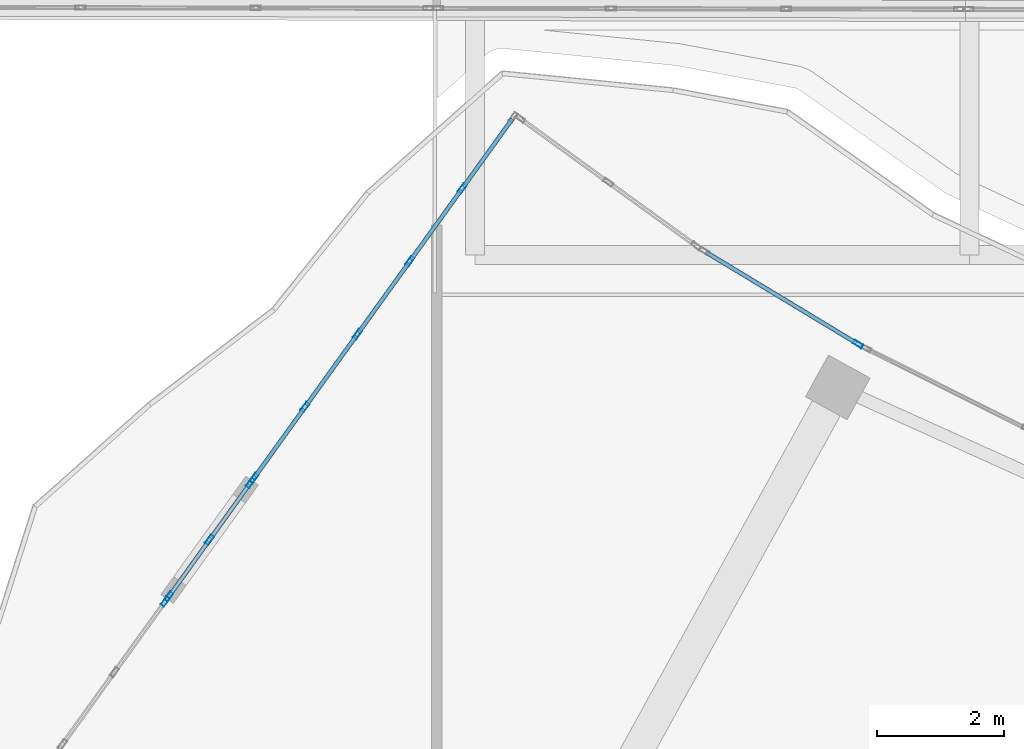
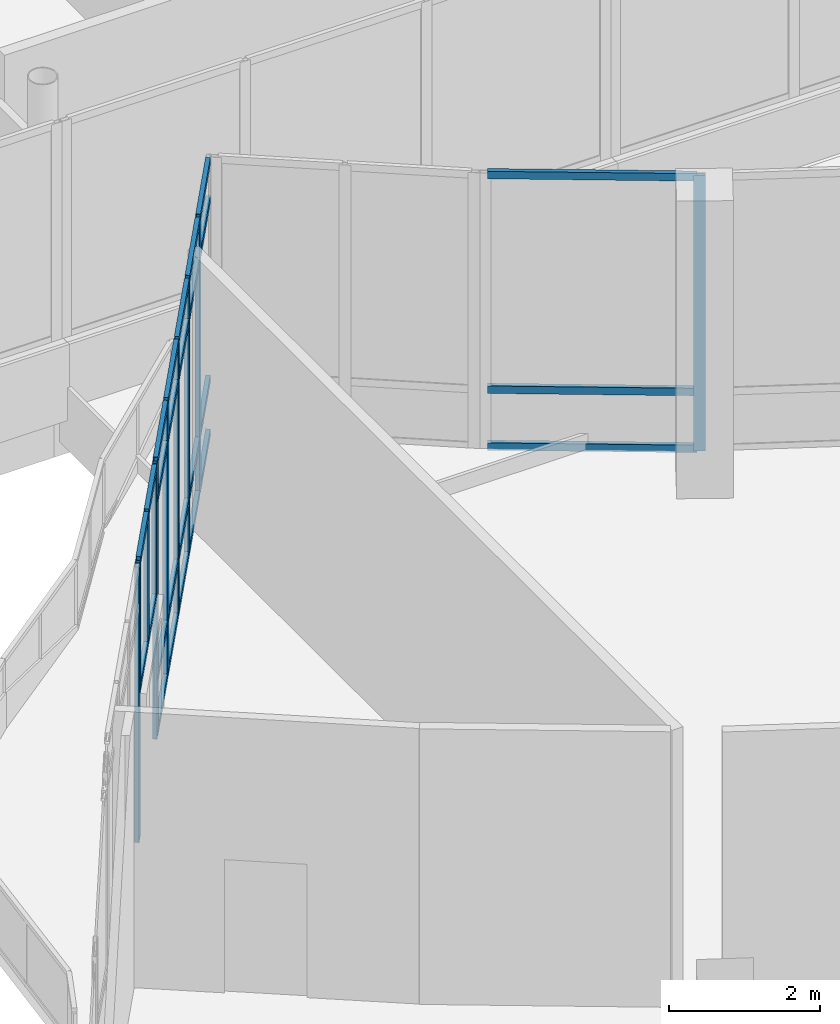
# One storey, part 26 of 168: 37 members, 4 elements without a shape of their own.
"""IFC4 building model written with IfcOpenShell, lengths in metres."""

from ifc_helpers import new_model, si_unit, direction, frame, origin, origin_2d, place, context, subcontext, project, spatial, hollow_rectangle, extrude, material, material_profile, profile_set, type_object, element, aggregate, save


model = new_model("IFC4")

# Units and contexts
model_context = context("Model", 3, precision=1e-05, world=origin(), true_north=direction((0.0, 1.0)))
body_context = subcontext(model_context, "Body", "Model", "MODEL_VIEW")
ifc_project = project(units=[si_unit("LENGTHUNIT", "METRE"), si_unit("AREAUNIT", "SQUARE_METRE"), si_unit("VOLUMEUNIT", "CUBIC_METRE"), si_unit("PLANEANGLEUNIT", "RADIAN"), si_unit("MASSUNIT", "GRAM", prefix="KILO")], contexts=[model_context])

# Site, building, storey
site_placement = place(None, origin())
site = spatial("IfcSite", under=ifc_project, at=site_placement, CompositionType="ELEMENT")
building_placement = place(site_placement, origin())
building = spatial("IfcBuilding", under=site, at=building_placement, Name="Selatvlak General Hospital", CompositionType="ELEMENT")
storey_placement = place(building_placement, frame((0.0, 0.0, 5.39990234375)))
storey = spatial("IfcBuildingStorey", under=building, at=storey_placement, Name="L01", CompositionType="ELEMENT", Elevation=5.39990234375)

# Curtain wall, members
ifc_material_1 = material(Name="Solar-control Low-E double glazing", Category="glass")
curtain_wall_type_1 = type_object("IfcCurtainWallType", Name="CW-CW-02", PredefinedType="USERDEFINED", material=ifc_material_1)
curtain_wall_1_placement = place(storey_placement, origin())
curtain_wall_1 = element("IfcCurtainWall", 1, at=curtain_wall_1_placement, inside=storey, type_object=curtain_wall_type_1, Name="Glazed facade curtain wall CW-L01-0187", ObjectType="UNITISED CURTAIN WALL", PredefinedType="USERDEFINED")
ifc_material_2 = material(Name="Dark anodised aluminium mullion", Category="aluminium")
ifc_material_profile_1 = material_profile(ifc_material_2, hollow_rectangle(XDim=0.06494140625, YDim=0.159912109375, WallThickness=0.00390625, at=origin_2d()), Name="AL-MUL 65x160x4")
ifc_profile_set_1 = profile_set([ifc_material_profile_1], Name="Dark anodised aluminium mullion")
member_type_1 = type_object("IfcMemberType", Name="CWM-01", PredefinedType="MULLION", material=ifc_profile_set_1)
member_1_placement = place(storey_placement, frame((26.974853515625, 42.71044921875, 2.320068359375), z_axis=(0.0, 0.0, 1.0), x_axis=(-0.812302328602, 0.583236596029, 0.0)))
member_1 = element("IfcMember", 2, at=member_1_placement, type_object=member_type_1, Name="CW-02 mullion 1", PredefinedType="MULLION", context=body_context, shape_type="SweptSolid", body=[
    extrude(hollow_rectangle(XDim=0.06494140625, YDim=0.159912109375, WallThickness=0.00390625, at=origin_2d()), origin(), (0.0, 0.0, 1.0), 2.125),
])
member_2_placement = place(storey_placement, frame((27.617919921875, 43.60595703125, 2.320068359375), z_axis=(0.0, 0.0, 1.0), x_axis=(-0.812302328602, 0.583236596029, 0.0)))
member_2 = element("IfcMember", 3, at=member_2_placement, type_object=member_type_1, Name="CW-02 mullion 2", PredefinedType="MULLION", context=body_context, shape_type="SweptSolid", body=[
    extrude(hollow_rectangle(XDim=0.06494140625, YDim=0.159912109375, WallThickness=0.00390625, at=origin_2d()), origin(), (0.0, 0.0, 1.0), 2.125),
])
member_3_placement = place(storey_placement, frame((28.260986328125, 44.501708984375, 2.320068359375), z_axis=(0.0, 0.0, 1.0), x_axis=(-0.812302328602, 0.583236596029, 0.0)))
member_3 = element("IfcMember", 4, at=member_3_placement, type_object=member_type_1, Name="CW-02 mullion 3", PredefinedType="MULLION", context=body_context, shape_type="SweptSolid", body=[
    extrude(hollow_rectangle(XDim=0.06494140625, YDim=0.159912109375, WallThickness=0.00390625, at=origin_2d()), origin(), (0.0, 0.0, 1.0), 2.125),
])

# Curtain wall, member
curtain_wall_type_2 = type_object("IfcCurtainWallType", Name="CW-CW-01", PredefinedType="USERDEFINED", material=ifc_material_1)
curtain_wall_2_placement = place(storey_placement, origin())
curtain_wall_2 = element("IfcCurtainWall", 5, at=curtain_wall_2_placement, inside=storey, type_object=curtain_wall_type_2, Name="Glazed facade curtain wall CW-L01-0188", ObjectType="UNITISED CURTAIN WALL", PredefinedType="USERDEFINED")
member_4_placement = place(storey_placement, frame((26.9189453125, 42.633544921875, 0.0), z_axis=(0.0, 0.0, 1.0), x_axis=(-0.81180439095, 0.583929474196, 0.0)))
member_4 = element("IfcMember", 6, at=member_4_placement, type_object=member_type_1, Name="CW-01 mullion 6", PredefinedType="MULLION", context=body_context, shape_type="SweptSolid", body=[
    extrude(hollow_rectangle(XDim=0.06494140625, YDim=0.159912109375, WallThickness=0.00390625, at=origin_2d()), origin(), (0.0, 0.0, 1.0), 4.445068359375),
])
aggregate(curtain_wall_2, [member_4])

# Curtain wall, members
curtain_wall_3_placement = place(storey_placement, origin())
curtain_wall_3 = element("IfcCurtainWall", 7, at=curtain_wall_3_placement, inside=storey, type_object=curtain_wall_type_2, Name="Glazed facade curtain wall CW-L01-0189", ObjectType="UNITISED CURTAIN WALL", PredefinedType="USERDEFINED")
member_5_placement = place(storey_placement, frame((28.31689453125, 44.578369140625, 0.0), z_axis=(0.0, 0.0, 1.0), x_axis=(-0.811837318502, 0.583883694145, 0.0)))
member_5 = element("IfcMember", 8, at=member_5_placement, type_object=member_type_1, Name="CW-01 mullion 1", PredefinedType="MULLION", context=body_context, shape_type="SweptSolid", body=[
    extrude(hollow_rectangle(XDim=0.06494140625, YDim=0.159912109375, WallThickness=0.00390625, at=origin_2d()), origin(), (0.0, 0.0, 1.0), 4.445068359375),
])
member_6_placement = place(storey_placement, frame((29.123779296875, 45.7001953125, 0.0), z_axis=(0.0, 0.0, 1.0), x_axis=(-0.811837318502, 0.583883694145, 0.0)))
member_6 = element("IfcMember", 9, at=member_6_placement, type_object=member_type_1, Name="CW-01 mullion 2", PredefinedType="MULLION", context=body_context, shape_type="SweptSolid", body=[
    extrude(hollow_rectangle(XDim=0.06494140625, YDim=0.159912109375, WallThickness=0.00390625, at=origin_2d()), origin(), (0.0, 0.0, 1.0), 4.445068359375),
])
member_7_placement = place(storey_placement, frame((29.94970703125, 46.848388671875, 0.0), z_axis=(0.0, 0.0, 1.0), x_axis=(-0.811837318502, 0.583883694145, 0.0)))
member_7 = element("IfcMember", 10, at=member_7_placement, type_object=member_type_1, Name="CW-01 mullion 3", PredefinedType="MULLION", context=body_context, shape_type="SweptSolid", body=[
    extrude(hollow_rectangle(XDim=0.06494140625, YDim=0.159912109375, WallThickness=0.00390625, at=origin_2d()), origin(), (0.0, 0.0, 1.0), 4.445068359375),
])
member_8_placement = place(storey_placement, frame((30.775390625, 47.99658203125, 0.0), z_axis=(0.0, 0.0, 1.0), x_axis=(-0.811837318502, 0.583883694145, 0.0)))
member_8 = element("IfcMember", 11, at=member_8_placement, type_object=member_type_1, Name="CW-01 mullion 4", PredefinedType="MULLION", context=body_context, shape_type="SweptSolid", body=[
    extrude(hollow_rectangle(XDim=0.06494140625, YDim=0.159912109375, WallThickness=0.00390625, at=origin_2d()), origin(), (0.0, 0.0, 1.0), 4.445068359375),
])
member_9_placement = place(storey_placement, frame((31.601318359375, 49.144775390625, 0.0), z_axis=(0.0, 0.0, 1.0), x_axis=(-0.811837318502, 0.583883694145, 0.0)))
member_9 = element("IfcMember", 12, at=member_9_placement, type_object=member_type_1, Name="CW-01 mullion 5", PredefinedType="MULLION", context=body_context, shape_type="SweptSolid", body=[
    extrude(hollow_rectangle(XDim=0.06494140625, YDim=0.159912109375, WallThickness=0.00390625, at=origin_2d()), origin(), (0.0, 0.0, 1.0), 4.445068359375),
])

# Curtain wall, member
curtain_wall_4_placement = place(storey_placement, origin())
curtain_wall_4 = element("IfcCurtainWall", 13, at=curtain_wall_4_placement, inside=storey, type_object=curtain_wall_type_2, Name="Glazed facade curtain wall CW-L01-0191", ObjectType="UNITISED CURTAIN WALL", PredefinedType="USERDEFINED")
member_10_placement = place(storey_placement, frame((37.840087890625, 46.69189453125, 0.0), z_axis=(0.0, 0.0, 1.0), x_axis=(0.517384094885, 0.85575329293, 0.0)))
member_10 = element("IfcMember", 14, at=member_10_placement, type_object=member_type_1, Name="CW-01 mullion 2", PredefinedType="MULLION", context=body_context, shape_type="SweptSolid", body=[
    extrude(hollow_rectangle(XDim=0.06494140625, YDim=0.159912109375, WallThickness=0.00390625, at=origin_2d()), origin(), (0.0, 0.0, 1.0), 4.445068359375),
])

# Member
ifc_material_profile_2 = material_profile(ifc_material_2, hollow_rectangle(XDim=0.06494140625, YDim=0.1201171875, WallThickness=0.00390625, at=origin_2d()), Name="AL-TRN 65x120x4")
ifc_profile_set_2 = profile_set([ifc_material_profile_2], Name="Dark anodised aluminium mullion")
member_type_2 = type_object("IfcMemberType", Name="CWT-01", PredefinedType="USERDEFINED", material=ifc_profile_set_2)
member_11_placement = place(storey_placement, frame((26.993896484375, 42.73681640625, 2.3525390625), z_axis=(0.583306308674, 0.812252270086, 0.0), x_axis=(-0.812252270086, 0.583306308674, 0.0)))
member_11 = element("IfcMember", 15, at=member_11_placement, type_object=member_type_2, Name="CW-02 transom 1.1", ObjectType="TRANSOM", PredefinedType="USERDEFINED", context=body_context, shape_type="SweptSolid", body=[
    extrude(hollow_rectangle(XDim=0.06494140625, YDim=0.1201171875, WallThickness=0.00390625, at=origin_2d()), origin(), (0.0, 0.0, 1.0), 1.03759765625),
])

member_12_placement = place(storey_placement, frame((26.993896484375, 42.73681640625, 4.41259765625), z_axis=(0.583306308674, 0.812252270086, 0.0), x_axis=(-0.812252270086, 0.583306308674, 0.0)))
member_12 = element("IfcMember", 16, at=member_12_placement, type_object=member_type_2, Name="CW-02 transom 1.2", ObjectType="TRANSOM", PredefinedType="USERDEFINED", context=body_context, shape_type="SweptSolid", body=[
    extrude(hollow_rectangle(XDim=0.06494140625, YDim=0.1201171875, WallThickness=0.00390625, at=origin_2d()), origin(), (0.0, 0.0, 1.0), 1.03759765625),
])

member_13_placement = place(storey_placement, frame((27.636962890625, 43.63232421875, 2.3525390625), z_axis=(0.583306308674, 0.812252270086, 0.0), x_axis=(-0.812252270086, 0.583306308674, 0.0)))
member_13 = element("IfcMember", 17, at=member_13_placement, type_object=member_type_2, Name="CW-02 transom 2.1", ObjectType="TRANSOM", PredefinedType="USERDEFINED", context=body_context, shape_type="SweptSolid", body=[
    extrude(hollow_rectangle(XDim=0.06494140625, YDim=0.1201171875, WallThickness=0.00390625, at=origin_2d()), origin(), (0.0, 0.0, 1.0), 1.03759765625),
])

member_14_placement = place(storey_placement, frame((27.636962890625, 43.63232421875, 4.41259765625), z_axis=(0.583306308674, 0.812252270086, 0.0), x_axis=(-0.812252270086, 0.583306308674, 0.0)))
member_14 = element("IfcMember", 18, at=member_14_placement, type_object=member_type_2, Name="CW-02 transom 2.2", ObjectType="TRANSOM", PredefinedType="USERDEFINED", context=body_context, shape_type="SweptSolid", body=[
    extrude(hollow_rectangle(XDim=0.06494140625, YDim=0.1201171875, WallThickness=0.00390625, at=origin_2d()), origin(), (0.0, 0.0, 1.0), 1.03759765625),
])

aggregate(curtain_wall_1, [member_1, member_2, member_3, member_11, member_12, member_13, member_14])

member_15_placement = place(storey_placement, frame((28.3359375, 44.604736328125, 0.03271484375), z_axis=(0.583830864609, 0.811875311566, 0.0), x_axis=(-0.811875311566, 0.583830864609, 0.0)))
member_15 = element("IfcMember", 19, at=member_15_placement, type_object=member_type_2, Name="CW-01 transom 1.1", ObjectType="TRANSOM", PredefinedType="USERDEFINED", context=body_context, shape_type="SweptSolid", body=[
    extrude(hollow_rectangle(XDim=0.06494140625, YDim=0.1201171875, WallThickness=0.00390625, at=origin_2d()), origin(), (0.0, 0.0, 1.0), 1.31689453125),
])

member_16_placement = place(storey_placement, frame((28.3359375, 44.604736328125, 0.900146484375), z_axis=(0.583830864609, 0.811875311566, 0.0), x_axis=(-0.811875311566, 0.583830864609, 0.0)))
member_16 = element("IfcMember", 20, at=member_16_placement, type_object=member_type_2, Name="CW-01 transom 1.2", ObjectType="TRANSOM", PredefinedType="USERDEFINED", context=body_context, shape_type="SweptSolid", body=[
    extrude(hollow_rectangle(XDim=0.06494140625, YDim=0.1201171875, WallThickness=0.00390625, at=origin_2d()), origin(), (0.0, 0.0, 1.0), 1.31689453125),
])

member_17_placement = place(storey_placement, frame((28.3359375, 44.604736328125, 3.795166015625), z_axis=(0.583830864609, 0.811875311566, 0.0), x_axis=(-0.811875311566, 0.583830864609, 0.0)))
member_17 = element("IfcMember", 21, at=member_17_placement, type_object=member_type_2, Name="CW-01 transom 1.3", ObjectType="TRANSOM", PredefinedType="USERDEFINED", context=body_context, shape_type="SweptSolid", body=[
    extrude(hollow_rectangle(XDim=0.06494140625, YDim=0.1201171875, WallThickness=0.00390625, at=origin_2d()), origin(), (0.0, 0.0, 1.0), 1.31689453125),
])

member_18_placement = place(storey_placement, frame((28.3359375, 44.604736328125, 4.41259765625), z_axis=(0.583830864609, 0.811875311566, 0.0), x_axis=(-0.811875311566, 0.583830864609, 0.0)))
member_18 = element("IfcMember", 22, at=member_18_placement, type_object=member_type_2, Name="CW-01 transom 1.4", ObjectType="TRANSOM", PredefinedType="USERDEFINED", context=body_context, shape_type="SweptSolid", body=[
    extrude(hollow_rectangle(XDim=0.06494140625, YDim=0.1201171875, WallThickness=0.00390625, at=origin_2d()), origin(), (0.0, 0.0, 1.0), 1.31689453125),
])

member_19_placement = place(storey_placement, frame((29.142822265625, 45.7265625, 0.03271484375), z_axis=(0.583870898815, 0.811846520912, 0.0), x_axis=(-0.811846520912, 0.583870898815, 0.0)))
member_19 = element("IfcMember", 23, at=member_19_placement, type_object=member_type_2, Name="CW-01 transom 2.1", ObjectType="TRANSOM", PredefinedType="USERDEFINED", context=body_context, shape_type="SweptSolid", body=[
    extrude(hollow_rectangle(XDim=0.06494140625, YDim=0.1201171875, WallThickness=0.00390625, at=origin_2d()), origin(), (0.0, 0.0, 1.0), 1.349365234375),
])

member_20_placement = place(storey_placement, frame((29.142822265625, 45.7265625, 0.900146484375), z_axis=(0.583870898815, 0.811846520912, 0.0), x_axis=(-0.811846520912, 0.583870898815, 0.0)))
member_20 = element("IfcMember", 24, at=member_20_placement, type_object=member_type_2, Name="CW-01 transom 2.2", ObjectType="TRANSOM", PredefinedType="USERDEFINED", context=body_context, shape_type="SweptSolid", body=[
    extrude(hollow_rectangle(XDim=0.06494140625, YDim=0.1201171875, WallThickness=0.00390625, at=origin_2d()), origin(), (0.0, 0.0, 1.0), 1.349365234375),
])

member_21_placement = place(storey_placement, frame((29.142822265625, 45.7265625, 3.795166015625), z_axis=(0.583870898815, 0.811846520912, 0.0), x_axis=(-0.811846520912, 0.583870898815, 0.0)))
member_21 = element("IfcMember", 25, at=member_21_placement, type_object=member_type_2, Name="CW-01 transom 2.3", ObjectType="TRANSOM", PredefinedType="USERDEFINED", context=body_context, shape_type="SweptSolid", body=[
    extrude(hollow_rectangle(XDim=0.06494140625, YDim=0.1201171875, WallThickness=0.00390625, at=origin_2d()), origin(), (0.0, 0.0, 1.0), 1.349365234375),
])

member_22_placement = place(storey_placement, frame((29.142822265625, 45.7265625, 4.41259765625), z_axis=(0.583870898815, 0.811846520912, 0.0), x_axis=(-0.811846520912, 0.583870898815, 0.0)))
member_22 = element("IfcMember", 26, at=member_22_placement, type_object=member_type_2, Name="CW-01 transom 2.4", ObjectType="TRANSOM", PredefinedType="USERDEFINED", context=body_context, shape_type="SweptSolid", body=[
    extrude(hollow_rectangle(XDim=0.06494140625, YDim=0.1201171875, WallThickness=0.00390625, at=origin_2d()), origin(), (0.0, 0.0, 1.0), 1.349365234375),
])

member_23_placement = place(storey_placement, frame((29.968505859375, 46.874755859375, 0.03271484375), z_axis=(0.583870898815, 0.811846520912, 0.0), x_axis=(-0.811846520912, 0.583870898815, 0.0)))
member_23 = element("IfcMember", 27, at=member_23_placement, type_object=member_type_2, Name="CW-01 transom 3.1", ObjectType="TRANSOM", PredefinedType="USERDEFINED", context=body_context, shape_type="SweptSolid", body=[
    extrude(hollow_rectangle(XDim=0.06494140625, YDim=0.1201171875, WallThickness=0.00390625, at=origin_2d()), origin(), (0.0, 0.0, 1.0), 1.349365234375),
])

member_24_placement = place(storey_placement, frame((29.968505859375, 46.874755859375, 0.900146484375), z_axis=(0.583870898815, 0.811846520912, 0.0), x_axis=(-0.811846520912, 0.583870898815, 0.0)))
member_24 = element("IfcMember", 28, at=member_24_placement, type_object=member_type_2, Name="CW-01 transom 3.2", ObjectType="TRANSOM", PredefinedType="USERDEFINED", context=body_context, shape_type="SweptSolid", body=[
    extrude(hollow_rectangle(XDim=0.06494140625, YDim=0.1201171875, WallThickness=0.00390625, at=origin_2d()), origin(), (0.0, 0.0, 1.0), 1.349365234375),
])

member_25_placement = place(storey_placement, frame((29.968505859375, 46.874755859375, 3.795166015625), z_axis=(0.583870898815, 0.811846520912, 0.0), x_axis=(-0.811846520912, 0.583870898815, 0.0)))
member_25 = element("IfcMember", 29, at=member_25_placement, type_object=member_type_2, Name="CW-01 transom 3.3", ObjectType="TRANSOM", PredefinedType="USERDEFINED", context=body_context, shape_type="SweptSolid", body=[
    extrude(hollow_rectangle(XDim=0.06494140625, YDim=0.1201171875, WallThickness=0.00390625, at=origin_2d()), origin(), (0.0, 0.0, 1.0), 1.349365234375),
])

member_26_placement = place(storey_placement, frame((29.968505859375, 46.874755859375, 4.41259765625), z_axis=(0.583870898815, 0.811846520912, 0.0), x_axis=(-0.811846520912, 0.583870898815, 0.0)))
member_26 = element("IfcMember", 30, at=member_26_placement, type_object=member_type_2, Name="CW-01 transom 3.4", ObjectType="TRANSOM", PredefinedType="USERDEFINED", context=body_context, shape_type="SweptSolid", body=[
    extrude(hollow_rectangle(XDim=0.06494140625, YDim=0.1201171875, WallThickness=0.00390625, at=origin_2d()), origin(), (0.0, 0.0, 1.0), 1.349365234375),
])

member_27_placement = place(storey_placement, frame((30.79443359375, 48.02294921875, 0.03271484375), z_axis=(0.583870898815, 0.811846520912, 0.0), x_axis=(-0.811846520912, 0.583870898815, 0.0)))
member_27 = element("IfcMember", 31, at=member_27_placement, type_object=member_type_2, Name="CW-01 transom 4.1", ObjectType="TRANSOM", PredefinedType="USERDEFINED", context=body_context, shape_type="SweptSolid", body=[
    extrude(hollow_rectangle(XDim=0.06494140625, YDim=0.1201171875, WallThickness=0.00390625, at=origin_2d()), origin(), (0.0, 0.0, 1.0), 1.349365234375),
])

member_28_placement = place(storey_placement, frame((30.79443359375, 48.02294921875, 0.900146484375), z_axis=(0.583870898815, 0.811846520912, 0.0), x_axis=(-0.811846520912, 0.583870898815, 0.0)))
member_28 = element("IfcMember", 32, at=member_28_placement, type_object=member_type_2, Name="CW-01 transom 4.2", ObjectType="TRANSOM", PredefinedType="USERDEFINED", context=body_context, shape_type="SweptSolid", body=[
    extrude(hollow_rectangle(XDim=0.06494140625, YDim=0.1201171875, WallThickness=0.00390625, at=origin_2d()), origin(), (0.0, 0.0, 1.0), 1.349365234375),
])

member_29_placement = place(storey_placement, frame((30.79443359375, 48.02294921875, 3.795166015625), z_axis=(0.583870898815, 0.811846520912, 0.0), x_axis=(-0.811846520912, 0.583870898815, 0.0)))
member_29 = element("IfcMember", 33, at=member_29_placement, type_object=member_type_2, Name="CW-01 transom 4.3", ObjectType="TRANSOM", PredefinedType="USERDEFINED", context=body_context, shape_type="SweptSolid", body=[
    extrude(hollow_rectangle(XDim=0.06494140625, YDim=0.1201171875, WallThickness=0.00390625, at=origin_2d()), origin(), (0.0, 0.0, 1.0), 1.349365234375),
])

member_30_placement = place(storey_placement, frame((30.79443359375, 48.02294921875, 4.41259765625), z_axis=(0.583870898815, 0.811846520912, 0.0), x_axis=(-0.811846520912, 0.583870898815, 0.0)))
member_30 = element("IfcMember", 34, at=member_30_placement, type_object=member_type_2, Name="CW-01 transom 4.4", ObjectType="TRANSOM", PredefinedType="USERDEFINED", context=body_context, shape_type="SweptSolid", body=[
    extrude(hollow_rectangle(XDim=0.06494140625, YDim=0.1201171875, WallThickness=0.00390625, at=origin_2d()), origin(), (0.0, 0.0, 1.0), 1.349365234375),
])

member_31_placement = place(storey_placement, frame((31.6201171875, 49.171142578125, 0.03271484375), z_axis=(0.583953050917, 0.811787431736, 0.0), x_axis=(-0.811787431736, 0.583953050917, 0.0)))
member_31 = element("IfcMember", 35, at=member_31_placement, type_object=member_type_2, Name="CW-01 transom 5.1", ObjectType="TRANSOM", PredefinedType="USERDEFINED", context=body_context, shape_type="SweptSolid", body=[
    extrude(hollow_rectangle(XDim=0.06494140625, YDim=0.1201171875, WallThickness=0.00390625, at=origin_2d()), origin(), (0.0, 0.0, 1.0), 1.31689453125),
])

member_32_placement = place(storey_placement, frame((31.6201171875, 49.171142578125, 0.900146484375), z_axis=(0.583953050917, 0.811787431736, 0.0), x_axis=(-0.811787431736, 0.583953050917, 0.0)))
member_32 = element("IfcMember", 36, at=member_32_placement, type_object=member_type_2, Name="CW-01 transom 5.2", ObjectType="TRANSOM", PredefinedType="USERDEFINED", context=body_context, shape_type="SweptSolid", body=[
    extrude(hollow_rectangle(XDim=0.06494140625, YDim=0.1201171875, WallThickness=0.00390625, at=origin_2d()), origin(), (0.0, 0.0, 1.0), 1.31689453125),
])

member_33_placement = place(storey_placement, frame((31.6201171875, 49.171142578125, 3.795166015625), z_axis=(0.583953050917, 0.811787431736, 0.0), x_axis=(-0.811787431736, 0.583953050917, 0.0)))
member_33 = element("IfcMember", 37, at=member_33_placement, type_object=member_type_2, Name="CW-01 transom 5.3", ObjectType="TRANSOM", PredefinedType="USERDEFINED", context=body_context, shape_type="SweptSolid", body=[
    extrude(hollow_rectangle(XDim=0.06494140625, YDim=0.1201171875, WallThickness=0.00390625, at=origin_2d()), origin(), (0.0, 0.0, 1.0), 1.31689453125),
])

member_34_placement = place(storey_placement, frame((31.6201171875, 49.171142578125, 4.41259765625), z_axis=(0.583953050917, 0.811787431736, 0.0), x_axis=(-0.811787431736, 0.583953050917, 0.0)))
member_34 = element("IfcMember", 38, at=member_34_placement, type_object=member_type_2, Name="CW-01 transom 5.4", ObjectType="TRANSOM", PredefinedType="USERDEFINED", context=body_context, shape_type="SweptSolid", body=[
    extrude(hollow_rectangle(XDim=0.06494140625, YDim=0.1201171875, WallThickness=0.00390625, at=origin_2d()), origin(), (0.0, 0.0, 1.0), 1.31689453125),
])

aggregate(curtain_wall_3, [member_5, member_6, member_7, member_8, member_9, member_15, member_16, member_17, member_18, member_19, member_20, member_21, member_22, member_23, member_24, member_25, member_26, member_27, member_28, member_29, member_30, member_31, member_32, member_33, member_34])

member_35_placement = place(storey_placement, frame((35.442626953125, 48.141357421875, 0.03271484375), z_axis=(0.855761034107, -0.517371290762, 0.0), x_axis=(0.517371290762, 0.855761034107, 0.0)))
member_35 = element("IfcMember", 39, at=member_35_placement, type_object=member_type_2, Name="CW-01 transom 1.1", ObjectType="TRANSOM", PredefinedType="USERDEFINED", context=body_context, shape_type="SweptSolid", body=[
    extrude(hollow_rectangle(XDim=0.06494140625, YDim=0.1201171875, WallThickness=0.00390625, at=origin_2d()), origin(), (0.0, 0.0, 1.0), 2.76904296875),
])

member_36_placement = place(storey_placement, frame((35.442626953125, 48.141357421875, 0.9501953125), z_axis=(0.855761034107, -0.517371290762, 0.0), x_axis=(0.517371290762, 0.855761034107, 0.0)))
member_36 = element("IfcMember", 40, at=member_36_placement, type_object=member_type_2, Name="CW-01 transom 1.2", ObjectType="TRANSOM", PredefinedType="USERDEFINED", context=body_context, shape_type="SweptSolid", body=[
    extrude(hollow_rectangle(XDim=0.06494140625, YDim=0.1201171875, WallThickness=0.00390625, at=origin_2d()), origin(), (0.0, 0.0, 1.0), 2.76904296875),
])

member_37_placement = place(storey_placement, frame((35.442626953125, 48.141357421875, 4.41259765625), z_axis=(0.855761034107, -0.517371290762, 0.0), x_axis=(0.517371290762, 0.855761034107, 0.0)))
member_37 = element("IfcMember", 41, at=member_37_placement, type_object=member_type_2, Name="CW-01 transom 1.3", ObjectType="TRANSOM", PredefinedType="USERDEFINED", context=body_context, shape_type="SweptSolid", body=[
    extrude(hollow_rectangle(XDim=0.06494140625, YDim=0.1201171875, WallThickness=0.00390625, at=origin_2d()), origin(), (0.0, 0.0, 1.0), 2.76904296875),
])

aggregate(curtain_wall_4, [member_10, member_35, member_36, member_37])

save(model, "model.ifc")
